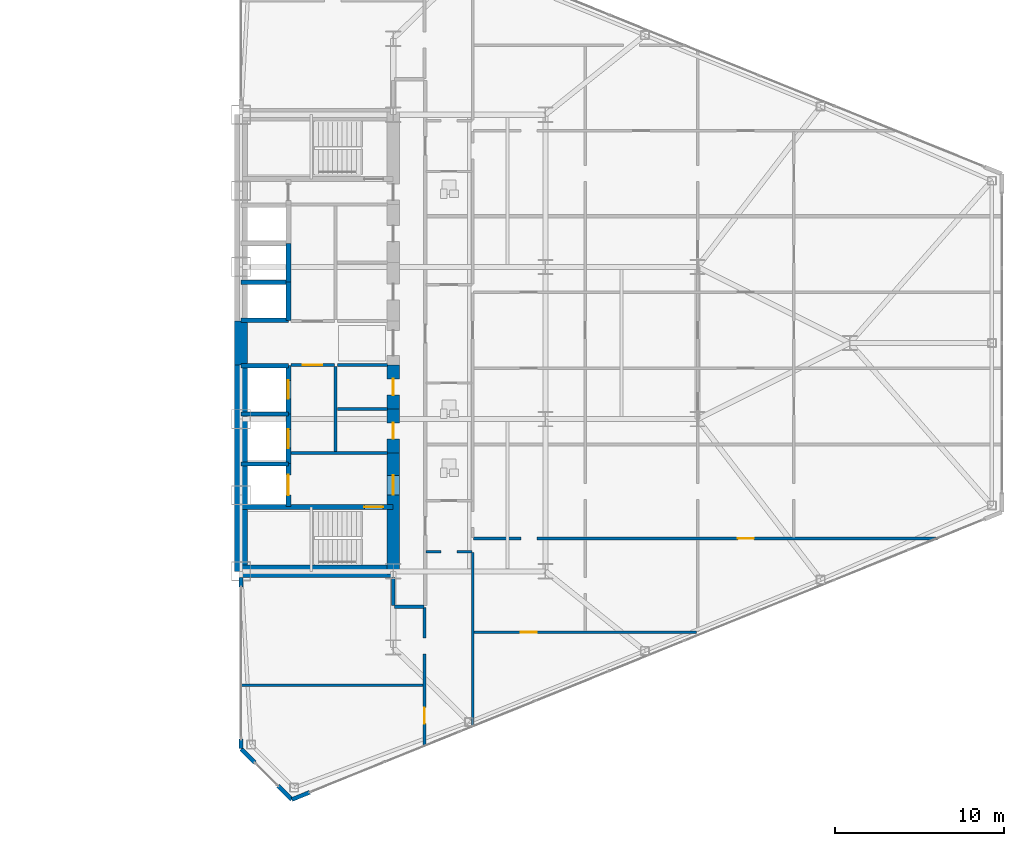
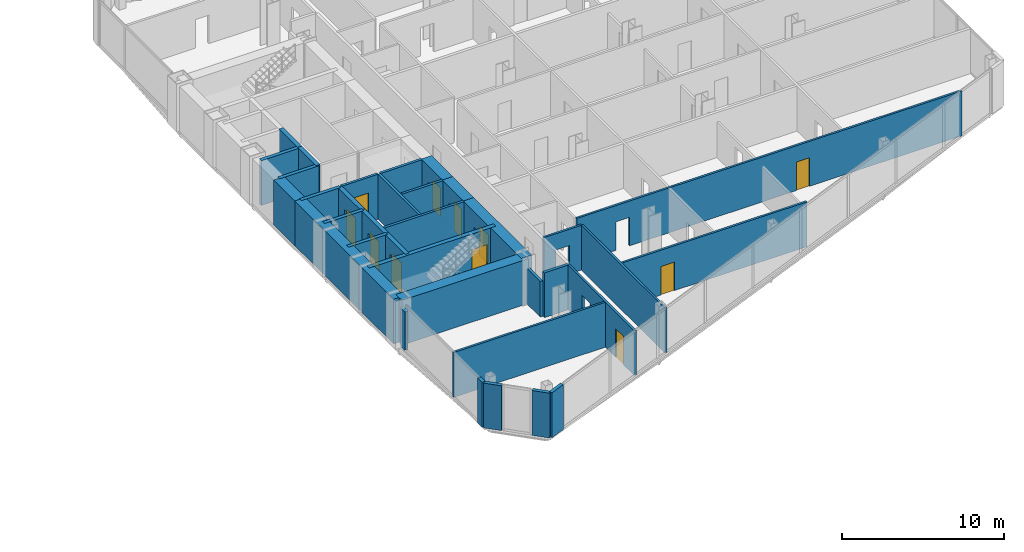
# One storey, part 20 of 25: 35 walls, 11 doors, 14 openings.
"""IFC4 building model written with IfcOpenShell, lengths in metres."""

from ifc_helpers import new_model, si_unit, direction, frame, frame_2d, origin, place, context, subcontext, project, spatial, rectangle, extrude, source, transform, mapped, material, layer, layer_set, type_object, type_shapes, element, fill, save


model = new_model("IFC4")

# Units and contexts
model_context = context("Model", 3, precision=1e-05, world=origin(), true_north=direction((0.0, 1.0)))
body_context = subcontext(model_context, "Body", "Model", "MODEL_VIEW")
ifc_project = project(units=[si_unit("LENGTHUNIT", "METRE"), si_unit("AREAUNIT", "SQUARE_METRE"), si_unit("VOLUMEUNIT", "CUBIC_METRE"), si_unit("PLANEANGLEUNIT", "RADIAN"), si_unit("MASSUNIT", "GRAM", prefix="KILO")], contexts=[model_context])

# Site, building, storey
site_placement = place(None, origin())
site = spatial("IfcSite", under=ifc_project, at=site_placement, CompositionType="ELEMENT")
building_placement = place(site_placement, origin())
building = spatial("IfcBuilding", under=site, at=building_placement, Name="Seokmaru Belvedere", CompositionType="ELEMENT")
storey_placement = place(building_placement, frame((0.0, 0.0, 26.10009765625)))
storey = spatial("IfcBuildingStorey", under=building, at=storey_placement, Name="L06", CompositionType="ELEMENT", Elevation=26.10009765625)

# Wall
ifc_material_1 = material(Name="Fire-Rated Gypsum Shaftwall")
ifc_layer_1 = layer(ifc_material_1, 0.14990234375)
ifc_layer_set_1 = layer_set([ifc_layer_1], Name="Fire-Rated Gypsum Shaftwall")
wall_type_1 = type_object("IfcWallType", Name="Apartment Fire-Acoustic Room Partition 150", PredefinedType="PARTITIONING", material=ifc_layer_set_1)
wall_1_placement = place(storey_placement, frame((27.465087890625, -20.25, 0.0), z_axis=(0.0, 0.0, 1.0), x_axis=(1.0, 0.0, 0.0)))
element("IfcWall", 1, at=wall_1_placement, inside=storey, type_object=wall_type_1, Name="L06 Interior Partition 002", PredefinedType="PARTITIONING", context=body_context, shape_type="SweptSolid", body=[
    extrude(rectangle(XDim=10.8349609375, YDim=0.14990234375, at=frame_2d((5.41748046875, 0.0))), origin(), (0.0, 0.0, 1.0), 3.3798828125),
])

# Wall, opening, door
wall_2_placement = place(storey_placement, frame((41.25, -17.110107421875, 0.0), z_axis=(0.0, 0.0, 1.0), x_axis=(1.0, 0.0, 0.0)))
wall_2 = element("IfcWall", 2, at=wall_2_placement, inside=storey, type_object=wall_type_1, Name="L06 Interior Partition 004", PredefinedType="PARTITIONING", context=body_context, shape_type="SweptSolid", body=[
    extrude(rectangle(XDim=13.199951171875, YDim=0.14990234375, at=frame_2d((6.60009765625, 0.0))), origin(), (0.0, 0.0, 1.0), 3.3798828125),
])
opening_1_placement = place(wall_2_placement, frame((2.800048828125, 0.0, 0.0)))
opening_1 = element("IfcOpeningElement", 3, at=opening_1_placement, cuts=wall_2, Name="Opening D05", PredefinedType="OPENING", context=body_context, shape_type="SweptSolid", body=[
    extrude(rectangle(XDim=0.949951171875, YDim=2.14990234375, at=frame_2d((0.47509765625, 1.074951171875))), frame((0.0, 0.0849609375, 0.0), z_axis=(0.0, -1.0, 0.0), x_axis=(1.0, 0.0, 0.0)), (0.0, 0.0, 1.0), 0.169921875),
])
ifc_material_2 = material(Name="Engineered White Oak Timber", Category="wood")
door_type_1 = type_object("IfcDoorType", Name="Apartment Interior Fire-Rated Oak Door 950x2150", OperationType="NOTDEFINED", PredefinedType="DOOR", material=ifc_material_2)
shared_shape_1 = source(origin(), body_context, "Body", "SweptSolid", [
    extrude(rectangle(XDim=0.949951171875, YDim=2.14990234375, at=frame_2d((0.47509765625, 1.074951171875))), frame((0.0, 0.02490234375, 0.0), z_axis=(0.0, -1.0, 0.0), x_axis=(1.0, 0.0, 0.0)), (0.0, 0.0, 1.0), 0.050048828125),
])
type_shapes(door_type_1, [shared_shape_1])
door_1_placement = place(opening_1_placement, origin())
door_1 = element("IfcDoor", 4, at=door_1_placement, inside=storey, type_object=door_type_1, Name="L06 Interior Door 047", OperationType="SINGLE_SWING_RIGHT", OverallHeight=2.14990234375, OverallWidth=0.949951171875, PredefinedType="DOOR", context=body_context, shape_type="MappedRepresentation", body=[
    mapped(shared_shape_1, transform((0.0, 0.0, 0.0), scale=1.0)),
])
fill(opening_1, door_1)

# Wall, opening
wall_3_placement = place(storey_placement, frame((38.449951171875, -12.330078125, 0.0), z_axis=(0.0, 0.0, 1.0), x_axis=(1.0, 0.0, 0.0)))
wall_3 = element("IfcWall", 5, at=wall_3_placement, inside=storey, type_object=wall_type_1, Name="L06 Interior Partition 009", PredefinedType="PARTITIONING", context=body_context, shape_type="SweptSolid", body=[
    extrude(rectangle(XDim=2.699951171875, YDim=0.14990234375, at=frame_2d((1.35009765625, 0.0))), origin(), (0.0, 0.0, 1.0), 3.3798828125),
])
opening_2_placement = place(wall_3_placement, frame((0.875, 0.0, 0.0)))
element("IfcOpeningElement", 6, at=opening_2_placement, cuts=wall_3, Name="L06 Cased Opening 040", PredefinedType="OPENING", context=body_context, shape_type="SweptSolid", body=[
    extrude(rectangle(XDim=0.949951171875, YDim=2.14990234375, at=frame_2d((0.47509765625, 1.074951171875))), frame((0.0, 0.0849609375, 0.0), z_axis=(0.0, -1.0, 0.0), x_axis=(1.0, 0.0, 0.0)), (0.0, 0.0, 1.0), 0.169921875),
])

# Wall, openings, door
wall_4_placement = place(storey_placement, frame((41.25, -11.56005859375, 0.0), z_axis=(0.0, 0.0, 1.0), x_axis=(1.0, 0.0, 0.0)))
wall_4 = element("IfcWall", 7, at=wall_4_placement, inside=storey, type_object=wall_type_1, Name="L06 Interior Partition 010", PredefinedType="PARTITIONING", context=body_context, shape_type="SweptSolid", body=[
    extrude(rectangle(XDim=27.43994140625, YDim=0.14990234375, at=frame_2d((13.719970703125, 0.0))), origin(), (0.0, 0.0, 1.0), 3.3798828125),
])
opening_3_placement = place(wall_4_placement, frame((2.800048828125, 0.0, 0.0)))
element("IfcOpeningElement", 8, at=opening_3_placement, cuts=wall_4, Name="L06 Cased Opening 042", PredefinedType="OPENING", context=body_context, shape_type="SweptSolid", body=[
    extrude(rectangle(XDim=0.949951171875, YDim=2.14990234375, at=frame_2d((0.47509765625, 1.074951171875))), frame((0.0, 0.0849609375, 0.0), z_axis=(0.0, -1.0, 0.0), x_axis=(1.0, 0.0, 0.0)), (0.0, 0.0, 1.0), 0.169921875),
])
opening_4_placement = place(wall_4_placement, frame((15.625, 0.0, 0.0)))
opening_4 = element("IfcOpeningElement", 9, at=opening_4_placement, cuts=wall_4, Name="Opening D05", PredefinedType="OPENING", context=body_context, shape_type="SweptSolid", body=[
    extrude(rectangle(XDim=0.949951171875, YDim=2.14990234375, at=frame_2d((0.47509765625, 1.074951171875))), frame((0.0, 0.0849609375, 0.0), z_axis=(0.0, -1.0, 0.0), x_axis=(1.0, 0.0, 0.0)), (0.0, 0.0, 1.0), 0.169921875),
])
door_2_placement = place(opening_4_placement, origin())
door_2 = element("IfcDoor", 10, at=door_2_placement, inside=storey, type_object=door_type_1, Name="L06 Interior Door 045", OperationType="SINGLE_SWING_RIGHT", OverallHeight=2.14990234375, OverallWidth=0.949951171875, PredefinedType="DOOR", context=body_context, shape_type="MappedRepresentation", body=[
    mapped(shared_shape_1, transform((0.0, 0.0, 0.0), scale=1.0)),
])
fill(opening_4, door_2)

wall_5_placement = place(storey_placement, frame((38.35009765625, -23.85791015625, 0.0), z_axis=(0.0, 0.0, 1.0), x_axis=(0.0, 1.0, 0.0)))
wall_5 = element("IfcWall", 11, at=wall_5_placement, inside=storey, type_object=wall_type_1, Name="L06 Interior Partition 052", PredefinedType="PARTITIONING", context=body_context, shape_type="SweptSolid", body=[
    extrude(rectangle(XDim=8.2080078125, YDim=0.14990234375, at=frame_2d((4.10400390625, 0.0))), origin(), (0.0, 0.0, 1.0), 3.3798828125),
])
opening_5_placement = place(wall_5_placement, frame((1.3466796875, 0.0, 0.0)))
opening_5 = element("IfcOpeningElement", 12, at=opening_5_placement, cuts=wall_5, Name="Opening D05", PredefinedType="OPENING", context=body_context, shape_type="SweptSolid", body=[
    extrude(rectangle(XDim=0.949951171875, YDim=2.14990234375, at=frame_2d((0.47509765625, 1.074951171875))), frame((0.0, 0.0849609375, 0.0), z_axis=(0.0, -1.0, 0.0), x_axis=(1.0, 0.0, 0.0)), (0.0, 0.0, 1.0), 0.169921875),
])
opening_6_placement = place(wall_5_placement, frame((5.4580078125, 0.0, 0.0)))
element("IfcOpeningElement", 13, at=opening_6_placement, cuts=wall_5, Name="L06 Cased Opening 050", PredefinedType="OPENING", context=body_context, shape_type="SweptSolid", body=[
    extrude(rectangle(XDim=0.949951171875, YDim=2.14990234375, at=frame_2d((0.47509765625, 1.074951171875))), frame((0.0, 0.0849609375, 0.0), z_axis=(0.0, -1.0, 0.0), x_axis=(1.0, 0.0, 0.0)), (0.0, 0.0, 1.0), 0.169921875),
])
door_3_placement = place(opening_5_placement, origin())
door_3 = element("IfcDoor", 14, at=door_3_placement, inside=storey, type_object=door_type_1, Name="L06 Interior Door 049", OperationType="SINGLE_SWING_LEFT", OverallHeight=2.14990234375, OverallWidth=0.949951171875, PredefinedType="DOOR", context=body_context, shape_type="MappedRepresentation", body=[
    mapped(shared_shape_1, transform((0.0, 0.0, 0.0), scale=1.0)),
])
fill(opening_5, door_3)

# Walls
wall_6_placement = place(storey_placement, frame((41.199951171875, -22.7041015625, 0.0), z_axis=(0.0, 0.0, 1.0), x_axis=(0.0, 1.0, 0.0)))
element("IfcWall", 15, at=wall_6_placement, inside=storey, type_object=wall_type_1, Name="L06 Interior Partition 055", PredefinedType="PARTITIONING", context=body_context, shape_type="SweptSolid", body=[
    extrude(rectangle(XDim=10.326171875, YDim=0.14990234375, at=frame_2d((5.1630859375, 0.0))), origin(), (0.0, 0.0, 1.0), 3.3798828125),
])
ifc_layer_2 = layer(ifc_material_1, 0.179931640625)
ifc_layer_set_2 = layer_set([ifc_layer_2], Name="Fire-Rated Gypsum Shaftwall")
wall_type_2 = type_object("IfcWallType", Name="Core Service Fire Partition 180", PredefinedType="PARTITIONING", material=ifc_layer_set_2)
wall_7_placement = place(storey_placement, frame((30.449951171875, -6.5, 0.0), z_axis=(0.0, 0.0, 1.0), x_axis=(1.0, 0.0, 0.0)))
element("IfcWall", 16, at=wall_7_placement, inside=storey, type_object=wall_type_2, Name="L06 East Firefighting Lobby Partition", PredefinedType="PARTITIONING", context=body_context, shape_type="SweptSolid", body=[
    extrude(rectangle(XDim=5.699951171875, YDim=0.179931640625, at=frame_2d((2.85009765625, 0.0))), origin(), (0.0, 0.0, 1.0), 3.3798828125),
])
wall_8_placement = place(storey_placement, frame((33.10009765625, -6.419921875, 0.0), z_axis=(0.0, 0.0, 1.0), x_axis=(0.0, 1.0, 0.0)))
element("IfcWall", 17, at=wall_8_placement, inside=storey, type_object=wall_type_2, Name="L06 East South Core Service Back Wall", PredefinedType="PARTITIONING", context=body_context, shape_type="SweptSolid", body=[
    extrude(rectangle(XDim=5.0400390625, YDim=0.179931640625, at=frame_2d((2.52001953125, 0.0))), origin(), (0.0, 0.0, 1.0), 3.3798828125),
])

# Wall, opening, door
wall_9_placement = place(storey_placement, frame((30.449951171875, -1.300048828125, 0.0), z_axis=(0.0, 0.0, 1.0), x_axis=(1.0, 0.0, 0.0)))
wall_9 = element("IfcWall", 18, at=wall_9_placement, inside=storey, type_object=wall_type_2, Name="L06 East South Lift Lobby Foyer Wall", PredefinedType="PARTITIONING", context=body_context, shape_type="SweptSolid", body=[
    extrude(rectangle(XDim=2.570068359375, YDim=0.179931640625, at=frame_2d((1.28515625, 0.0))), origin(), (0.0, 0.0, 1.0), 3.3798828125),
])
opening_7_placement = place(wall_9_placement, frame((0.7099609375, 0.0, 0.0)))
opening_7 = element("IfcOpeningElement", 19, at=opening_7_placement, cuts=wall_9, Name="Opening D02", PredefinedType="OPENING", context=body_context, shape_type="SweptSolid", body=[
    extrude(rectangle(XDim=1.14990234375, YDim=2.199951171875, at=frame_2d((0.574951171875, 1.10009765625))), frame((0.0, 0.10009765625, 0.0), z_axis=(0.0, -1.0, 0.0), x_axis=(1.0, 0.0, 0.0)), (0.0, 0.0, 1.0), 0.199951171875),
])
ifc_material_3 = material(Name="Fire-Rated Steel Leaf", Category="steel")
door_type_2 = type_object("IfcDoorType", Name="Lobby and Vestibule Fire Door 1150x2200", OperationType="NOTDEFINED", PredefinedType="DOOR", material=ifc_material_3)
shared_shape_2 = source(origin(), body_context, "Body", "SweptSolid", [
    extrude(rectangle(XDim=1.14990234375, YDim=2.199951171875, at=frame_2d((0.574951171875, 1.10009765625))), frame((0.0, 0.02490234375, 0.0), z_axis=(0.0, -1.0, 0.0), x_axis=(1.0, 0.0, 0.0)), (0.0, 0.0, 1.0), 0.050048828125),
])
type_shapes(door_type_2, [shared_shape_2])
door_4_placement = place(opening_7_placement, origin())
door_4 = element("IfcDoor", 20, at=door_4_placement, inside=storey, type_object=door_type_2, Name="L06 East South Core Foyer Door", OperationType="SINGLE_SWING_RIGHT", OverallHeight=2.199951171875, OverallWidth=1.14990234375, PredefinedType="DOOR", context=body_context, shape_type="MappedRepresentation", body=[
    mapped(shared_shape_2, transform((0.0, 0.0, 0.0), scale=1.0)),
])
fill(opening_7, door_4)

# Walls
for number, where, z_axis, x_axis, name in (
    (21, (33.199951171875, -1.300048828125, 0.0), (0.0, 0.0, 1.0), (1.0, 0.0, 0.0), "L06 East Foyer Side Wall S"),
    (22, (33.199951171875, -3.89990234375, 0.0), (0.0, 0.0, 1.0), (1.0, 0.0, 0.0), "L06 East Core Service Partition 1"),
):
    element("IfcWall", number, at=place(storey_placement, frame(where, z_axis=z_axis, x_axis=x_axis)), inside=storey, type_object=wall_type_2, Name=name, PredefinedType="PARTITIONING", context=body_context, shape_type="SweptSolid", body=[
        extrude(rectangle(XDim=2.949951171875, YDim=0.179931640625, at=frame_2d((1.47509765625, 0.0))), origin(), (0.0, 0.0, 1.0), 3.3798828125),
    ])
ifc_material_4 = material(Name="Concrete C50 (50 MPa)", Category="concrete")
ifc_layer_3 = layer(ifc_material_4, 0.25)
ifc_layer_set_3 = layer_set([ifc_layer_3], Name="Concrete C50 (50 MPa)")
wall_type_3 = type_object("IfcWallType", Name="Hoistway Transverse Concrete Divider Wall 250", PredefinedType="SHEAR", material=ifc_layer_set_3)
for number, where, z_axis, x_axis, name in (
    (23, (27.5, -7.14990234375, 0.0), (0.0, 0.0, 1.0), (1.0, 0.0, 0.0), "L06 East Hoistway Divider Core Wall 1"),
    (24, (27.5, -4.199951171875, 0.0), (0.0, 0.0, 1.0), (1.0, 0.0, 0.0), "L06 East Hoistway Divider Core Wall 2"),
    (25, (27.5, -1.35009765625, 0.0), (0.0, 0.0, 1.0), (1.0, 0.0, 0.0), "L06 East Hoistway Divider Core Wall 3"),
    (26, (27.5, 1.35009765625, 0.0), (0.0, 0.0, 1.0), (1.0, 0.0, 0.0), "L06 East Hoistway Divider Core Wall 4"),
    (27, (27.5, 3.60009765625, 0.0), (0.0, 0.0, 1.0), (1.0, 0.0, 0.0), "L06 East Hoistway Divider Core Wall 5"),
):
    element("IfcWall", number, at=place(storey_placement, frame(where, z_axis=z_axis, x_axis=x_axis)), inside=storey, type_object=wall_type_3, Name=name, PredefinedType="SHEAR", context=body_context, shape_type="SweptSolid", body=[
        extrude(rectangle(XDim=2.800048828125, YDim=0.25, at=frame_2d((1.39990234375, 0.0))), origin(), (0.0, 0.0, 1.0), 3.3798828125),
    ])
ifc_layer_4 = layer(ifc_material_1, 0.199951171875)
ifc_layer_set_4 = layer_set([ifc_layer_4], Name="Fire-Rated Gypsum Shaftwall")
wall_type_4 = type_object("IfcWallType", Name="Inter-Tenancy Fire Compartment Partition 200", PredefinedType="PARTITIONING", material=ifc_layer_set_4)
wall_10_placement = place(storey_placement, frame((36.5849609375, -15.60009765625, 0.0), z_axis=(0.0, 0.0, 1.0), x_axis=(1.0, 0.0, 0.0)))
element("IfcWall", 28, at=wall_10_placement, inside=storey, type_object=wall_type_4, Name="L06 Interior Partition 007", PredefinedType="PARTITIONING", context=body_context, shape_type="SweptSolid", body=[
    extrude(rectangle(XDim=1.72998046875, YDim=0.199951171875, at=frame_2d((0.864990234375, 0.0))), origin(), (0.0, 0.0, 1.0), 3.3798828125),
])
wall_11_placement = place(storey_placement, frame((36.5, -15.514892578125, 0.0), z_axis=(0.0, 0.0, 1.0), x_axis=(0.0, 1.0, 0.0)))
element("IfcWall", 29, at=wall_11_placement, inside=storey, type_object=wall_type_4, Name="L06 Interior Partition 050", PredefinedType="PARTITIONING", context=body_context, shape_type="SweptSolid", body=[
    extrude(rectangle(XDim=1.635009765625, YDim=0.199951171875, at=frame_2d((0.8173828125, 0.0))), origin(), (0.0, 0.0, 1.0), 2.679931640625),
])

# Wall, opening, door
ifc_layer_5 = layer(ifc_material_4, 0.300048828125)
ifc_layer_set_5 = layer_set([ifc_layer_5], Name="Concrete C50 (50 MPa)")
wall_type_5 = type_object("IfcWallType", Name="Internal Core Stair and Hoistway Wall 300", PredefinedType="SHEAR", material=ifc_layer_set_5)
wall_12_placement = place(storey_placement, frame((27.5, -9.699951171875, 0.0), z_axis=(0.0, 0.0, 1.0), x_axis=(1.0, 0.0, 0.0)))
wall_12 = element("IfcWall", 30, at=wall_12_placement, inside=storey, type_object=wall_type_5, Name="L06 East Stair ST-1 Enclosure Wall", PredefinedType="SHEAR", context=body_context, shape_type="SweptSolid", body=[
    extrude(rectangle(XDim=9.0, YDim=0.300048828125, at=frame_2d((4.5, 0.0))), origin(), (0.0, 0.0, 1.0), 3.3798828125),
])
opening_8_placement = place(wall_12_placement, frame((7.300048828125, 0.0, 0.0)))
opening_8 = element("IfcOpeningElement", 31, at=opening_8_placement, cuts=wall_12, Name="Opening D01", PredefinedType="OPENING", context=body_context, shape_type="SweptSolid", body=[
    extrude(rectangle(XDim=1.10009765625, YDim=2.199951171875, at=frame_2d((0.550048828125, 1.10009765625))), frame((0.0, 0.16015625, 0.0), z_axis=(0.0, -1.0, 0.0), x_axis=(1.0, 0.0, 0.0)), (0.0, 0.0, 1.0), 0.320068359375),
])
door_type_3 = type_object("IfcDoorType", Name="Special Escape Stair Smokeproof Fire Door 1100x2200", OperationType="NOTDEFINED", PredefinedType="DOOR", material=ifc_material_3)
shared_shape_3 = source(origin(), body_context, "Body", "SweptSolid", [
    extrude(rectangle(XDim=1.10009765625, YDim=2.199951171875, at=frame_2d((0.550048828125, 1.10009765625))), frame((0.0, 0.02490234375, 0.0), z_axis=(0.0, -1.0, 0.0), x_axis=(1.0, 0.0, 0.0)), (0.0, 0.0, 1.0), 0.050048828125),
])
type_shapes(door_type_3, [shared_shape_3])
door_5_placement = place(opening_8_placement, frame((1.10009765625, 0.0, 0.0), z_axis=(0.0, 0.0, 1.0), x_axis=(-1.0, 0.0, 0.0)))
door_5 = element("IfcDoor", 32, at=door_5_placement, inside=storey, type_object=door_type_3, Name="L06 East Special Escape Stair ST-1 Door", OperationType="SINGLE_SWING_RIGHT", OverallHeight=2.199951171875, OverallWidth=1.10009765625, PredefinedType="DOOR", context=body_context, shape_type="MappedRepresentation", body=[
    mapped(shared_shape_3, transform((0.0, 0.0, 0.0), scale=1.0)),
])
fill(opening_8, door_5)

wall_13_placement = place(storey_placement, frame((30.300048828125, -9.679931640625, 0.0), z_axis=(0.0, 0.0, 1.0), x_axis=(0.0, 1.0, 0.0)))
wall_13 = element("IfcWall", 33, at=wall_13_placement, inside=storey, type_object=wall_type_5, Name="L06 East Firefighting Lift Shaft Front Wall", PredefinedType="SHEAR", context=body_context, shape_type="SweptSolid", body=[
    extrude(rectangle(XDim=2.559814453125, YDim=0.300048828125, at=frame_2d((1.27978515625, 0.0))), origin(), (0.0, 0.0, 1.0), 3.3798828125),
])
opening_9_placement = place(wall_13_placement, frame((0.679931640625, 0.0, 0.0)))
opening_9 = element("IfcOpeningElement", 34, at=opening_9_placement, cuts=wall_13, Name="Opening LD2", PredefinedType="OPENING", context=body_context, shape_type="SweptSolid", body=[
    extrude(rectangle(XDim=1.199951171875, YDim=2.25, at=frame_2d((0.60009765625, 1.125))), frame((0.0, 0.16015625, 0.0), z_axis=(0.0, -1.0, 0.0), x_axis=(1.0, 0.0, 0.0)), (0.0, 0.0, 1.0), 0.320068359375),
])
ifc_material_5 = material(Name="Stainless Steel 316", Category="steel")
door_type_4 = type_object("IfcDoorType", Name="Firefighting Lift Sliding Landing Door 1200x2250", OperationType="DOUBLE_DOOR_SLIDING", PredefinedType="DOOR", material=ifc_material_5)
shared_shape_4 = source(origin(), body_context, "Body", "SweptSolid", [
    extrude(rectangle(XDim=1.199951171875, YDim=2.25, at=frame_2d((0.60009765625, 1.125))), frame((0.0, 0.02490234375, 0.0), z_axis=(0.0, -1.0, 0.0), x_axis=(1.0, 0.0, 0.0)), (0.0, 0.0, 1.0), 0.050048828125),
])
type_shapes(door_type_4, [shared_shape_4])
door_6_placement = place(opening_9_placement, origin())
door_6 = element("IfcDoor", 35, at=door_6_placement, inside=storey, type_object=door_type_4, Name="L06 East Firefighting Lift Landing Door", OperationType="DOUBLE_DOOR_SLIDING", OverallHeight=2.25, OverallWidth=1.199951171875, PredefinedType="DOOR", context=body_context, shape_type="MappedRepresentation", body=[
    mapped(shared_shape_4, transform((0.0, 0.0, 0.0), scale=1.0)),
])
fill(opening_9, door_6)

wall_14_placement = place(storey_placement, frame((30.300048828125, -7.1201171875, 0.0), z_axis=(0.0, 0.0, 1.0), x_axis=(0.0, 1.0, 0.0)))
wall_14 = element("IfcWall", 36, at=wall_14_placement, inside=storey, type_object=wall_type_5, Name="L06 East Low-Rise Lift PL-1 Front Wall", PredefinedType="SHEAR", context=body_context, shape_type="SweptSolid", body=[
    extrude(rectangle(XDim=2.920166015625, YDim=0.300048828125, at=frame_2d((1.4599609375, 0.0))), origin(), (0.0, 0.0, 1.0), 3.3798828125),
])
opening_10_placement = place(wall_14_placement, frame((0.909912109375, 0.0, 0.0)))
opening_10 = element("IfcOpeningElement", 37, at=opening_10_placement, cuts=wall_14, Name="Opening LD1", PredefinedType="OPENING", context=body_context, shape_type="SweptSolid", body=[
    extrude(rectangle(XDim=1.10009765625, YDim=2.199951171875, at=frame_2d((0.550048828125, 1.10009765625))), frame((0.0, 0.16015625, 0.0), z_axis=(0.0, -1.0, 0.0), x_axis=(1.0, 0.0, 0.0)), (0.0, 0.0, 1.0), 0.320068359375),
])
door_type_5 = type_object("IfcDoorType", Name="Passenger Lift Sliding Landing Door 1100x2200", OperationType="DOUBLE_DOOR_SLIDING", PredefinedType="DOOR", material=ifc_material_5)
shared_shape_5 = source(origin(), body_context, "Body", "SweptSolid", [
    extrude(rectangle(XDim=1.10009765625, YDim=2.199951171875, at=frame_2d((0.550048828125, 1.10009765625))), frame((0.0, 0.02490234375, 0.0), z_axis=(0.0, -1.0, 0.0), x_axis=(1.0, 0.0, 0.0)), (0.0, 0.0, 1.0), 0.050048828125),
])
type_shapes(door_type_5, [shared_shape_5])
door_7_placement = place(opening_10_placement, origin())
door_7 = element("IfcDoor", 38, at=door_7_placement, inside=storey, type_object=door_type_5, Name="L06 East Low-Rise Lift PL-1 Landing Door", OperationType="DOUBLE_DOOR_SLIDING", OverallHeight=2.199951171875, OverallWidth=1.10009765625, PredefinedType="DOOR", context=body_context, shape_type="MappedRepresentation", body=[
    mapped(shared_shape_5, transform((0.0, 0.0, 0.0), scale=1.0)),
])
fill(opening_10, door_7)

wall_15_placement = place(storey_placement, frame((30.300048828125, -4.199951171875, 0.0), z_axis=(0.0, 0.0, 1.0), x_axis=(0.0, 1.0, 0.0)))
wall_15 = element("IfcWall", 39, at=wall_15_placement, inside=storey, type_object=wall_type_5, Name="L06 East Low-Rise Lift PL-2 Front Wall", PredefinedType="SHEAR", context=body_context, shape_type="SweptSolid", body=[
    extrude(rectangle(XDim=2.8798828125, YDim=0.300048828125, at=frame_2d((1.43994140625, 0.0))), origin(), (0.0, 0.0, 1.0), 3.3798828125),
])
opening_11_placement = place(wall_15_placement, frame((0.889892578125, 0.0, 0.0)))
opening_11 = element("IfcOpeningElement", 40, at=opening_11_placement, cuts=wall_15, Name="Opening LD1", PredefinedType="OPENING", context=body_context, shape_type="SweptSolid", body=[
    extrude(rectangle(XDim=1.10009765625, YDim=2.199951171875, at=frame_2d((0.550048828125, 1.10009765625))), frame((0.0, 0.16015625, 0.0), z_axis=(0.0, -1.0, 0.0), x_axis=(1.0, 0.0, 0.0)), (0.0, 0.0, 1.0), 0.320068359375),
])
door_8_placement = place(opening_11_placement, origin())
door_8 = element("IfcDoor", 41, at=door_8_placement, inside=storey, type_object=door_type_5, Name="L06 East Low-Rise Lift PL-2 Landing Door", OperationType="DOUBLE_DOOR_SLIDING", OverallHeight=2.199951171875, OverallWidth=1.10009765625, PredefinedType="DOOR", context=body_context, shape_type="MappedRepresentation", body=[
    mapped(shared_shape_5, transform((0.0, 0.0, 0.0), scale=1.0)),
])
fill(opening_11, door_8)

# Walls
wall_16_placement = place(storey_placement, frame((30.300048828125, 1.320068359375, 0.0), z_axis=(0.0, 0.0, 1.0), x_axis=(0.0, 1.0, 0.0)))
element("IfcWall", 42, at=wall_16_placement, inside=storey, type_object=wall_type_5, Name="L06 East North Hoistway Wall PH1", PredefinedType="SHEAR", context=body_context, shape_type="SweptSolid", body=[
    extrude(rectangle(XDim=2.280029296875, YDim=0.300048828125, at=frame_2d((1.14013671875, 0.0))), origin(), (0.0, 0.0, 1.0), 3.3798828125),
])
wall_17_placement = place(storey_placement, frame((30.300048828125, 3.60009765625, 0.0), z_axis=(0.0, 0.0, 1.0), x_axis=(0.0, 1.0, 0.0)))
element("IfcWall", 43, at=wall_17_placement, inside=storey, type_object=wall_type_5, Name="L06 East North Hoistway Wall PH2", PredefinedType="SHEAR", context=body_context, shape_type="SweptSolid", body=[
    extrude(rectangle(XDim=2.2998046875, YDim=0.300048828125, at=frame_2d((1.14990234375, 0.0))), origin(), (0.0, 0.0, 1.0), 3.3798828125),
])
ifc_material_6 = material(Name="Concrete C60 (60 MPa)", Category="concrete")
ifc_layer_6 = layer(ifc_material_6, 0.75)
ifc_layer_set_6 = layer_set([ifc_layer_6], Name="Concrete C60 (60 MPa)")
wall_type_6 = type_object("IfcWallType", Name="Lower Tower Reinforced Concrete Core Wall 750", PredefinedType="SHEAR", material=ifc_layer_set_6)
wall_18_placement = place(storey_placement, frame((27.5, -13.5, 0.0), z_axis=(0.0, 0.0, 1.0), x_axis=(0.0, 1.0, 0.0)))
element("IfcWall", 44, at=wall_18_placement, inside=storey, type_object=wall_type_6, Name="L06 East Portal Spine Core Wall South", PredefinedType="SHEAR", context=body_context, shape_type="SweptSolid", body=[
    extrude(rectangle(XDim=12.199951171875, YDim=0.75, at=frame_2d((6.10009765625, 0.0))), origin(), (0.0, 0.0, 1.0), 3.3798828125),
])
wall_19_placement = place(storey_placement, frame((27.5, -1.300048828125, 0.0), z_axis=(0.0, 0.0, 1.0), x_axis=(0.0, 1.0, 0.0)))
element("IfcWall", 45, at=wall_19_placement, inside=storey, type_object=wall_type_6, Name="L06 East Portal Spine Core Wall Center", PredefinedType="SHEAR", context=body_context, shape_type="SweptSolid", body=[
    extrude(rectangle(XDim=2.60009765625, YDim=0.75, at=frame_2d((1.300048828125, 0.0))), origin(), (0.0, 0.0, 1.0), 3.3798828125),
])
wall_20_placement = place(storey_placement, frame((27.5, -13.5, 0.0), z_axis=(0.0, 0.0, 1.0), x_axis=(1.0, 0.0, 0.0)))
element("IfcWall", 46, at=wall_20_placement, inside=storey, type_object=wall_type_6, Name="L06 East South Core Wall", PredefinedType="SHEAR", context=body_context, shape_type="SweptSolid", body=[
    extrude(rectangle(XDim=9.0, YDim=0.75, at=frame_2d((4.5, 0.0))), origin(), (0.0, 0.0, 1.0), 3.3798828125),
])

# Wall, opening, door
wall_21_placement = place(storey_placement, frame((36.5, -13.64990234375, 0.0), z_axis=(0.0, 0.0, 1.0), x_axis=(0.0, 1.0, 0.0)))
wall_21 = element("IfcWall", 47, at=wall_21_placement, inside=storey, type_object=wall_type_6, Name="L06 East West Core Wall FF", PredefinedType="SHEAR", context=body_context, shape_type="SweptSolid", body=[
    extrude(rectangle(XDim=7.14990234375, YDim=0.75, at=frame_2d((3.574951171875, 0.0))), origin(), (0.0, 0.0, 1.0), 3.3798828125),
])
opening_12_placement = place(wall_21_placement, frame((4.675048828125, 0.0, 0.0)))
opening_12 = element("IfcOpeningElement", 48, at=opening_12_placement, cuts=wall_21, Name="Opening D02", PredefinedType="OPENING", context=body_context, shape_type="SweptSolid", body=[
    extrude(rectangle(XDim=1.14990234375, YDim=2.199951171875, at=frame_2d((0.574951171875, 1.10009765625))), frame((0.0, 0.385009765625, 0.0), z_axis=(0.0, -1.0, 0.0), x_axis=(1.0, 0.0, 0.0)), (0.0, 0.0, 1.0), 0.77001953125),
])
door_9_placement = place(opening_12_placement, origin())
door_9 = element("IfcDoor", 49, at=door_9_placement, inside=storey, type_object=door_type_2, Name="L06 East Firefighting Lobby Door", OperationType="SINGLE_SWING_RIGHT", OverallHeight=2.199951171875, OverallWidth=1.14990234375, PredefinedType="DOOR", context=body_context, shape_type="MappedRepresentation", body=[
    mapped(shared_shape_2, transform((0.0, 0.0, 0.0), scale=1.0)),
])
fill(opening_12, door_9)

wall_22_placement = place(storey_placement, frame((36.5, -6.5, 0.0), z_axis=(0.0, 0.0, 1.0), x_axis=(0.0, 1.0, 0.0)))
wall_22 = element("IfcWall", 50, at=wall_22_placement, inside=storey, type_object=wall_type_6, Name="L06 East West Core Wall CS1", PredefinedType="SHEAR", context=body_context, shape_type="SweptSolid", body=[
    extrude(rectangle(XDim=2.60009765625, YDim=0.75, at=frame_2d((1.300048828125, 0.0))), origin(), (0.0, 0.0, 1.0), 3.3798828125),
])
opening_13_placement = place(wall_22_placement, frame((0.824951171875, 0.0, 0.0)))
opening_13 = element("IfcOpeningElement", 51, at=opening_13_placement, cuts=wall_22, Name="Opening D04", PredefinedType="OPENING", context=body_context, shape_type="SweptSolid", body=[
    extrude(rectangle(XDim=0.949951171875, YDim=2.14990234375, at=frame_2d((0.47509765625, 1.074951171875))), frame((0.0, 0.385009765625, 0.0), z_axis=(0.0, -1.0, 0.0), x_axis=(1.0, 0.0, 0.0)), (0.0, 0.0, 1.0), 0.77001953125),
])
door_type_6 = type_object("IfcDoorType", Name="Core Service Room Fire Door 950x2150", OperationType="NOTDEFINED", PredefinedType="DOOR", material=ifc_material_3)
shared_shape_6 = source(origin(), body_context, "Body", "SweptSolid", [
    extrude(rectangle(XDim=0.949951171875, YDim=2.14990234375, at=frame_2d((0.47509765625, 1.074951171875))), frame((0.0, 0.02490234375, 0.0), z_axis=(0.0, -1.0, 0.0), x_axis=(1.0, 0.0, 0.0)), (0.0, 0.0, 1.0), 0.050048828125),
])
type_shapes(door_type_6, [shared_shape_6])
door_10_placement = place(opening_13_placement, origin())
door_10 = element("IfcDoor", 52, at=door_10_placement, inside=storey, type_object=door_type_6, Name="L06 East Core Service Room Door 1", OperationType="SINGLE_SWING_RIGHT", OverallHeight=2.14990234375, OverallWidth=0.949951171875, PredefinedType="DOOR", context=body_context, shape_type="MappedRepresentation", body=[
    mapped(shared_shape_6, transform((0.0, 0.0, 0.0), scale=1.0)),
])
fill(opening_13, door_10)

wall_23_placement = place(storey_placement, frame((36.5, -3.89990234375, 0.0), z_axis=(0.0, 0.0, 1.0), x_axis=(0.0, 1.0, 0.0)))
wall_23 = element("IfcWall", 53, at=wall_23_placement, inside=storey, type_object=wall_type_6, Name="L06 East West Core Wall CS2", PredefinedType="SHEAR", context=body_context, shape_type="SweptSolid", body=[
    extrude(rectangle(XDim=2.599853515625, YDim=0.75, at=frame_2d((1.2998046875, 0.0))), origin(), (0.0, 0.0, 1.0), 3.3798828125),
])
opening_14_placement = place(wall_23_placement, frame((0.824951171875, 0.0, 0.0)))
opening_14 = element("IfcOpeningElement", 54, at=opening_14_placement, cuts=wall_23, Name="Opening D04", PredefinedType="OPENING", context=body_context, shape_type="SweptSolid", body=[
    extrude(rectangle(XDim=0.949951171875, YDim=2.14990234375, at=frame_2d((0.47509765625, 1.074951171875))), frame((0.0, 0.385009765625, 0.0), z_axis=(0.0, -1.0, 0.0), x_axis=(1.0, 0.0, 0.0)), (0.0, 0.0, 1.0), 0.77001953125),
])
door_11_placement = place(opening_14_placement, origin())
door_11 = element("IfcDoor", 55, at=door_11_placement, inside=storey, type_object=door_type_6, Name="L06 East Core Service Room Door 2", OperationType="SINGLE_SWING_LEFT", OverallHeight=2.14990234375, OverallWidth=0.949951171875, PredefinedType="DOOR", context=body_context, shape_type="MappedRepresentation", body=[
    mapped(shared_shape_6, transform((0.0, 0.0, 0.0), scale=1.0)),
])
fill(opening_14, door_11)

# Walls
ifc_material_7 = material(Name="Anodised Bronze Aluminium", Category="aluminium")
ifc_layer_7 = layer(ifc_material_7, 0.239990234375)
ifc_layer_set_7 = layer_set([ifc_layer_7], Name="Anodised Bronze Aluminium")
wall_type_7 = type_object("IfcWallType", Name="Tower Corner Spandrel Closure Wall 240", PredefinedType="SOLIDWALL", material=ifc_layer_set_7)
wall_24_placement = place(storey_placement, frame((30.50927734375, -26.99609375, 0.0), z_axis=(0.0, 0.0, 1.0), x_axis=(0.927007103665, 0.375043770452, 0.0)))
element("IfcWall", 56, at=wall_24_placement, inside=storey, type_object=wall_type_7, Name="L06 E Corner Closure Pier 1A", PredefinedType="SOLIDWALL", context=body_context, shape_type="SweptSolid", body=[
    extrude(rectangle(XDim=1.139892578125, YDim=0.239990234375, at=frame_2d((0.56982421875, 0.0))), origin(), (0.0, 0.0, 1.0), 3.3798828125),
])
wall_25_placement = place(storey_placement, frame((27.5, -23.97998046875, 0.0), z_axis=(0.0, 0.0, 1.0), x_axis=(0.0, 1.0, 0.0)))
element("IfcWall", 57, at=wall_25_placement, inside=storey, type_object=wall_type_7, Name="L06 E Spine Closure Pier 1A", PredefinedType="SOLIDWALL", context=body_context, shape_type="SweptSolid", body=[
    extrude(rectangle(XDim=0.550048828125, YDim=0.239990234375, at=frame_2d((0.27490234375, 0.0))), origin(), (0.0, 0.0, 1.0), 3.3798828125),
])
wall_26_placement = place(storey_placement, frame((27.5, -14.429931640625, 0.0), z_axis=(0.0, 0.0, 1.0), x_axis=(0.0, 1.0, 0.0)))
element("IfcWall", 58, at=wall_26_placement, inside=storey, type_object=wall_type_7, Name="L06 E Spine Closure Pier 1B", PredefinedType="SOLIDWALL", context=body_context, shape_type="SweptSolid", body=[
    extrude(rectangle(XDim=0.550048828125, YDim=0.239990234375, at=frame_2d((0.27490234375, 0.0))), origin(), (0.0, 0.0, 1.0), 2.8798828125),
])
for number, where, z_axis, x_axis, name in (
    (59, (27.507080078125, -24.007080078125, 0.0), (0.0, 0.0, 1.0), (0.707106781187, -0.707106781187, 0.0), "L06 E Corner Closure Pier 6A"),
    (60, (29.686767578125, -26.186767578125, 0.0), (0.0, 0.0, 1.0), (0.707106781187, -0.707106781187, 0.0), "L06 E Corner Closure Pier 6B"),
):
    element("IfcWall", number, at=place(storey_placement, frame(where, z_axis=z_axis, x_axis=x_axis)), inside=storey, type_object=wall_type_7, Name=name, PredefinedType="SOLIDWALL", context=body_context, shape_type="SweptSolid", body=[
        extrude(rectangle(XDim=1.14013671875, YDim=0.239990234375, at=frame_2d((0.570068359375, 0.0))), origin(), (0.0, 0.0, 1.0), 3.3798828125),
    ])

save(model, "model.ifc")
